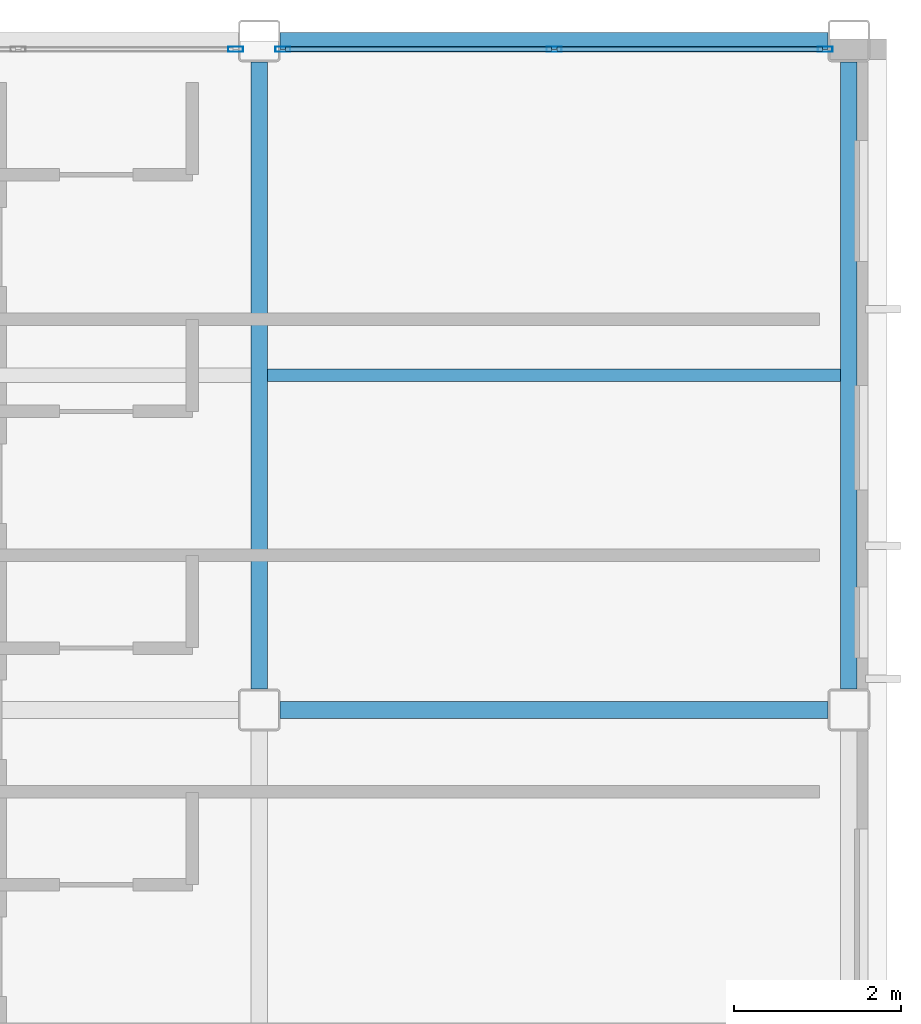
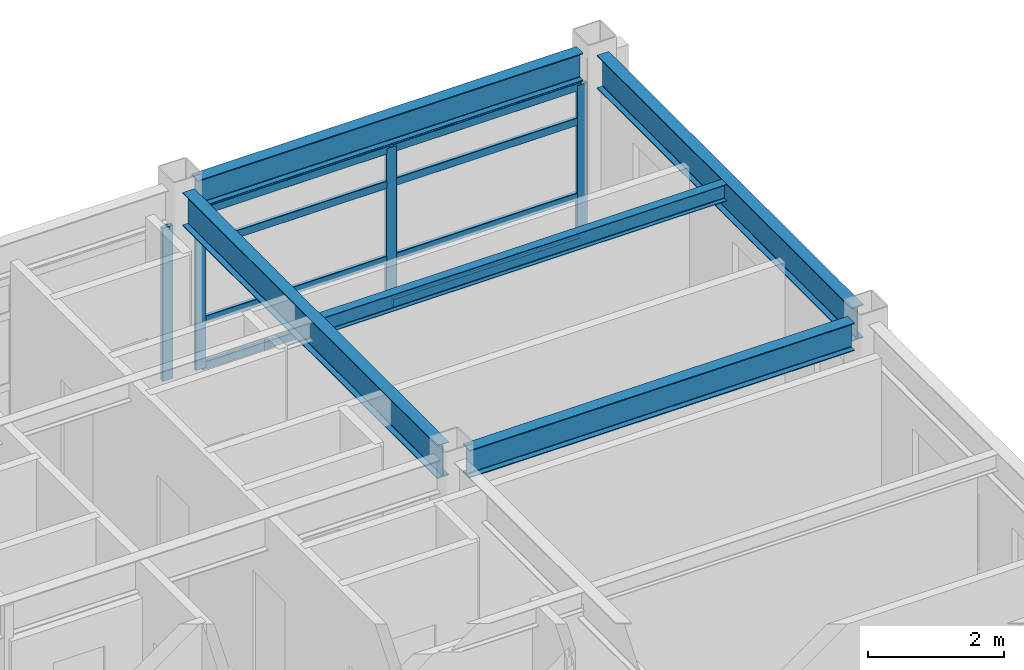
# One storey, part 20 of 35: 12 members, 5 beams, 2 elements without a shape of their own.
"""IFC4 building model written with IfcOpenShell, lengths in metres."""

import ifcopenshell
import ifcopenshell.guid

model = None  # the IFC model being written
_history = None  # IfcOwnerHistory: only IFC2X3 demands one
_inside = {}  # id of a spatial element -> (the spatial element, [elements in it])
_under = {}  # id of a project, library or spatial element -> (it, [spatial elements below it])
_declared = {}  # id of a project -> (the project, [libraries it declares])
_typed = {}  # id of a type object -> (the type object, [elements of that type])
_made_of = {}  # id of a material, layer set ... -> (it, [elements and type objects made of it])


def new_model(schema):
    """Start an empty IFC model of exactly this schema.

    Asked for "IFC4X3", IfcOpenShell would pick the latest addendum, in which some entities
    have other attributes; the version numbers below select the first issue.
    IFC2X3 requires an IfcOwnerHistory on every rooted entity: one is made here for all.
    """
    global model, _history
    if schema == "IFC4X3":
        model = ifcopenshell.file(schema_version=(4, 3, 0, 0))
    else:
        model = ifcopenshell.file(schema=schema)
    _inside.clear()
    _under.clear()
    _declared.clear()
    _typed.clear()
    _made_of.clear()
    _history = None
    if model.schema == "IFC2X3":
        org = make("IfcOrganization", Name="unknown")
        user = make(
            "IfcPersonAndOrganization",
            ThePerson=make("IfcPerson", FamilyName="unknown"),
            TheOrganization=org,
        )
        app = make(
            "IfcApplication",
            ApplicationDeveloper=org,
            Version="unknown",
            ApplicationFullName="unknown",
            ApplicationIdentifier="unknown",
        )
        _history = make(
            "IfcOwnerHistory",
            OwningUser=user,
            OwningApplication=app,
            ChangeAction="ADDED",
            CreationDate=0,
        )
    return model


def make(cls, **values):
    """One entity of the class cls with the attributes given. An attribute that is None is left unset."""
    return model.create_entity(
        cls, **{name: value for name, value in values.items() if value is not None}
    )


def rooted(cls, **values):
    """An entity with a GlobalId (a new one), such as an element, a storey or a relation."""
    return make(cls, GlobalId=ifcopenshell.guid.new(), OwnerHistory=_history, **values)


def si_unit(unit_type, name, prefix=None):
    """IfcSIUnit, for example si_unit("LENGTHUNIT", "METRE", prefix="MILLI")."""
    return make("IfcSIUnit", UnitType=unit_type, Prefix=prefix, Name=name)


def assignment(units):
    """IfcUnitAssignment: the units of a project."""
    return None if units is None else make("IfcUnitAssignment", Units=units)


def point(xyz):
    """IfcCartesianPoint."""
    return None if xyz is None else make("IfcCartesianPoint", Coordinates=xyz)


def direction(xyz):
    """IfcDirection."""
    return None if xyz is None else make("IfcDirection", DirectionRatios=xyz)


def frame(location, z_axis=None, x_axis=None):
    """IfcAxis2Placement3D, a coordinate frame: its origin and axes. An axis left out is left unset."""
    return make(
        "IfcAxis2Placement3D",
        Location=point(location),
        Axis=direction(z_axis),
        RefDirection=direction(x_axis),
    )


def frame_2d(location, x_axis=None):
    """IfcAxis2Placement2D, a coordinate frame in the plane: its origin and x axis."""
    return make(
        "IfcAxis2Placement2D", Location=point(location), RefDirection=direction(x_axis)
    )


def origin():
    """The frame at (0, 0, 0) with its axes left unset."""
    return frame((0.0, 0.0, 0.0))


def origin_2d():
    """The frame at (0, 0) in the plane with its x axis left unset."""
    return frame_2d((0.0, 0.0))


def place(relative_to, where):
    """IfcLocalPlacement: puts the frame where relative to a parent placement (None: the world)."""
    return make(
        "IfcLocalPlacement", PlacementRelTo=relative_to, RelativePlacement=where
    )


def context(
    kind, dimensions, precision=None, world=None, true_north=None, identifier=None
):
    """IfcGeometricRepresentationContext, for example the 3D "Model" context."""
    return make(
        "IfcGeometricRepresentationContext",
        ContextIdentifier=identifier,
        ContextType=kind,
        CoordinateSpaceDimension=dimensions,
        Precision=precision,
        WorldCoordinateSystem=world,
        TrueNorth=true_north,
    )


def subcontext(parent, identifier, kind, view, scale=None):
    """IfcGeometricRepresentationSubContext, for example "Body" below "Model"."""
    return make(
        "IfcGeometricRepresentationSubContext",
        ContextIdentifier=identifier,
        ContextType=kind,
        ParentContext=parent,
        TargetScale=scale,
        TargetView=view,
    )


def project(units=None, contexts=None):
    """IfcProject with its units and contexts."""
    return rooted(
        "IfcProject",
        Name="project",
        RepresentationContexts=contexts,
        UnitsInContext=assignment(units),
    )


def spatial(cls, under=None, at=None, **own):
    """A site, building, storey or space (cls), placed at a placement, below another one or the project."""
    s = rooted(cls, ObjectPlacement=at, **own)
    if under is not None:
        _under.setdefault(under.id(), (under, []))[1].append(s)
    return s


def profile(cls, at=None, kind="AREA", **sizes):
    """A parametric profile (cls). Its sizes go by their IFC names, for example OverallWidth=200.0."""
    return make(cls, ProfileType=kind, Position=at, **sizes)


def hollow_rectangle(**sizes):
    """IfcRectangleHollowProfileDef."""
    return profile("IfcRectangleHollowProfileDef", **sizes)


def i_section(**sizes):
    """IfcIShapeProfileDef."""
    return profile("IfcIShapeProfileDef", **sizes)


def extrude(swept, where, along, depth):
    """IfcExtrudedAreaSolid: the profile swept, set in the frame where, extruded along a direction by depth."""
    return make(
        "IfcExtrudedAreaSolid",
        SweptArea=swept,
        Position=where,
        ExtrudedDirection=direction(along),
        Depth=depth,
    )


def shape(context_of_items, identifier, shape_type, items):
    """IfcShapeRepresentation: the items that make up one representation, for example the "Body"."""
    return make(
        "IfcShapeRepresentation",
        ContextOfItems=context_of_items,
        RepresentationIdentifier=identifier,
        RepresentationType=shape_type,
        Items=items,
    )


def material(Name=None, Category=None):
    """IfcMaterial."""
    return make("IfcMaterial", Name=Name, Category=Category)


def layer(
    of_material, thickness, ventilated=None, Name=None, Category=None, Priority=None
):
    """IfcMaterialLayer: one layer of a wall or slab, of a material (None: an air gap)."""
    return make(
        "IfcMaterialLayer",
        Material=of_material,
        LayerThickness=thickness,
        IsVentilated=ventilated,
        Name=Name,
        Category=Category,
        Priority=Priority,
    )


def layer_set(layers, Name=None):
    """IfcMaterialLayerSet."""
    return make("IfcMaterialLayerSet", MaterialLayers=layers, LayerSetName=Name)


def material_profile(
    of_material, cross_section, Name=None, Category=None, Priority=None
):
    """IfcMaterialProfile: a cross section and its material."""
    return make(
        "IfcMaterialProfile",
        Name=Name,
        Material=of_material,
        Profile=cross_section,
        Priority=Priority,
        Category=Category,
    )


def profile_set(profiles, Name=None, composite=None):
    """IfcMaterialProfileSet."""
    return make(
        "IfcMaterialProfileSet",
        Name=Name,
        MaterialProfiles=profiles,
        CompositeProfile=composite,
    )


def made_of(thing, what):
    """Note that an element or type object is made of a material, layer set ...; save() writes the relation."""
    if what is not None:
        _made_of.setdefault(what.id(), (what, []))[1].append(thing)
    return thing


def type_object(cls, material=None, **own):
    """A type object (cls), such as IfcWallType, which elements share."""
    return made_of(rooted(cls, **own), material)


def element(
    cls,
    number,
    at=None,
    inside=None,
    cuts=None,
    type_object=None,
    material=None,
    context=None,
    identifier="Body",
    shape_type=None,
    held_by="IfcProductDefinitionShape",
    body=None,
    shapes=None,
    **own,
):
    """One element of the class cls, such as IfcWall. Its Tag is "e" and its number.

    at: its placement. inside: the storey or other place that contains it. cuts: it is an
    opening in that element (IfcRelVoidsElement). A single representation is given by context,
    identifier, shape_type and body (its items); several are given by shapes. held_by: the class
    of the entity that holds the representations. save() writes the other relations.
    """
    e = rooted(cls, Tag="e%d" % number, ObjectPlacement=at, **own)
    if body is not None:
        shapes = [shape(context, identifier, shape_type, body)]
    if shapes is not None:
        e.Representation = make(held_by, Representations=shapes)
    if inside is not None:
        _inside.setdefault(inside.id(), (inside, []))[1].append(e)
    if cuts is not None:
        rooted(
            "IfcRelVoidsElement", RelatingBuildingElement=cuts, RelatedOpeningElement=e
        )
    if type_object is not None:
        _typed.setdefault(type_object.id(), (type_object, []))[1].append(e)
    return made_of(e, material)


def aggregate(whole, parts):
    """IfcRelAggregates: a whole, such as a stair, and the parts it consists of."""
    return rooted("IfcRelAggregates", RelatingObject=whole, RelatedObjects=parts)


def save(model, path):
    """Write the relations noted so far, then the file.

    IfcRelAggregates (storeys below a building ...), IfcRelContainedInSpatialStructure (elements
    in a storey), IfcRelDefinesByType, IfcRelAssociatesMaterial and IfcRelDeclares: one each for
    every whole, place, type object, material and project.
    """
    for whole, parts in _under.values():
        aggregate(whole, parts)
    for where, things in _inside.values():
        rooted(
            "IfcRelContainedInSpatialStructure",
            RelatedElements=things,
            RelatingStructure=where,
        )
    for kind, things in _typed.values():
        rooted("IfcRelDefinesByType", RelatedObjects=things, RelatingType=kind)
    for what, things in _made_of.values():
        rooted("IfcRelAssociatesMaterial", RelatedObjects=things, RelatingMaterial=what)
    for by, libraries in _declared.values():
        rooted("IfcRelDeclares", RelatingContext=by, RelatedDefinitions=libraries)
    model.write(path)


model = new_model("IFC4")

# Units and contexts
model_context = context("Model", 3, precision=1e-05, world=origin(), true_north=direction((0.0, 1.0)))
body_context = subcontext(model_context, "Body", "Model", "MODEL_VIEW")
ifc_project = project(units=[si_unit("LENGTHUNIT", "METRE"), si_unit("AREAUNIT", "SQUARE_METRE"), si_unit("VOLUMEUNIT", "CUBIC_METRE"), si_unit("PLANEANGLEUNIT", "RADIAN"), si_unit("MASSUNIT", "GRAM", prefix="KILO")], contexts=[model_context])

# Site, building, storey
site_placement = place(None, origin())
site = spatial("IfcSite", under=ifc_project, at=site_placement, CompositionType="ELEMENT")
building_placement = place(site_placement, origin())
building = spatial("IfcBuilding", under=site, at=building_placement, Name="Kazehara Bluff Congress Hotel", CompositionType="ELEMENT")
storey_placement = place(building_placement, frame((0.0, 0.0, 35.39990234375)))
storey = spatial("IfcBuildingStorey", under=building, at=storey_placement, Name="L08", CompositionType="ELEMENT", Elevation=35.39990234375)

# Curtain wall, member
ifc_material_1 = material(Name="Anodised aluminium", Category="aluminium")
ifc_layer_1 = layer(ifc_material_1, 0.159912109375)
ifc_layer_set_1 = layer_set([ifc_layer_1], Name="Anodised aluminium")
curtain_wall_type_1 = type_object("IfcCurtainWallType", Name="TP-CW-185", PredefinedType="NOTDEFINED", material=ifc_layer_set_1)
curtain_wall_1_placement = place(storey_placement, origin())
curtain_wall_1 = element("IfcCurtainWall", 1, at=curtain_wall_1_placement, inside=storey, type_object=curtain_wall_type_1, Name="L08 curtain wall CW-185 CW-ENC-V5-L08-15630-9680", PredefinedType="NOTDEFINED")
ifc_material_2 = material(Name="Anodised aluminium", Category="aluminium")
ifc_material_profile_1 = material_profile(ifc_material_2, hollow_rectangle(XDim=0.06494140625, YDim=0.179931640625, WallThickness=0.00390625, InnerFilletRadius=0.00390625, OuterFilletRadius=0.008056640625, at=origin_2d()))
ifc_profile_set_1 = profile_set([ifc_material_profile_1], Name="Anodised aluminium")
member_type_1 = type_object("IfcMemberType", Name="TP-CWM-02", PredefinedType="MULLION", material=ifc_profile_set_1)
member_1_placement = place(storey_placement, frame((160.217529296875, 96.800048828125, 0.0), z_axis=(0.0, 0.0, 1.0), x_axis=(0.0, 1.0, 0.0)))
member_1 = element("IfcMember", 2, at=member_1_placement, type_object=member_type_1, Name="CW-185 mullion 4", PredefinedType="MULLION", context=body_context, shape_type="SweptSolid", body=[
    extrude(hollow_rectangle(XDim=0.06494140625, YDim=0.179931640625, WallThickness=0.00390625, InnerFilletRadius=0.00390625, OuterFilletRadius=0.008056640625, at=origin_2d()), origin(), (0.0, 0.0, 1.0), 2.755126953125),
])
aggregate(curtain_wall_1, [member_1])

# Curtain wall, members
ifc_material_3 = material(Name="Anodised aluminium", Category="aluminium")
ifc_layer_2 = layer(ifc_material_3, 0.159912109375)
ifc_layer_set_2 = layer_set([ifc_layer_2], Name="Anodised aluminium")
curtain_wall_type_2 = type_object("IfcCurtainWallType", Name="TP-CW-186", PredefinedType="NOTDEFINED", material=ifc_layer_set_2)
curtain_wall_2_placement = place(storey_placement, origin())
curtain_wall_2 = element("IfcCurtainWall", 3, at=curtain_wall_2_placement, inside=storey, type_object=curtain_wall_type_2, Name="L08 curtain wall CW-186 CW-ENC-V5-L08-16402-9680", PredefinedType="NOTDEFINED")
member_2_placement = place(storey_placement, frame((160.782470703125, 96.800048828125, 0.0), z_axis=(0.0, 0.0, 1.0), x_axis=(0.0, 1.0, 0.0)))
member_2 = element("IfcMember", 4, at=member_2_placement, type_object=member_type_1, Name="CW-186 mullion 1", PredefinedType="MULLION", context=body_context, shape_type="SweptSolid", body=[
    extrude(hollow_rectangle(XDim=0.06494140625, YDim=0.179931640625, WallThickness=0.00390625, InnerFilletRadius=0.00390625, OuterFilletRadius=0.008056640625, at=origin_2d()), origin(), (0.0, 0.0, 1.0), 2.85498046875),
])
member_3_placement = place(storey_placement, frame((164.02490234375, 96.800048828125, 0.0), z_axis=(0.0, 0.0, 1.0), x_axis=(0.0, 1.0, 0.0)))
member_3 = element("IfcMember", 5, at=member_3_placement, type_object=member_type_1, Name="CW-186 mullion 2", PredefinedType="MULLION", context=body_context, shape_type="SweptSolid", body=[
    extrude(hollow_rectangle(XDim=0.06494140625, YDim=0.179931640625, WallThickness=0.00390625, InnerFilletRadius=0.00390625, OuterFilletRadius=0.008056640625, at=origin_2d()), origin(), (0.0, 0.0, 1.0), 2.85498046875),
])
member_4_placement = place(storey_placement, frame((167.267578125, 96.800048828125, 0.0), z_axis=(0.0, 0.0, 1.0), x_axis=(0.0, 1.0, 0.0)))
member_4 = element("IfcMember", 6, at=member_4_placement, type_object=member_type_1, Name="CW-186 mullion 3", PredefinedType="MULLION", context=body_context, shape_type="SweptSolid", body=[
    extrude(hollow_rectangle(XDim=0.06494140625, YDim=0.179931640625, WallThickness=0.00390625, InnerFilletRadius=0.00390625, OuterFilletRadius=0.008056640625, at=origin_2d()), origin(), (0.0, 0.0, 1.0), 2.85498046875),
])
ifc_material_4 = material(Name="Anodised aluminium", Category="aluminium")
ifc_material_profile_2 = material_profile(ifc_material_4, hollow_rectangle(XDim=0.06494140625, YDim=0.139892578125, WallThickness=0.00390625, InnerFilletRadius=0.00390625, OuterFilletRadius=0.008056640625, at=origin_2d()))
ifc_profile_set_2 = profile_set([ifc_material_profile_2], Name="Anodised aluminium")
member_type_2 = type_object("IfcMemberType", Name="TP-CWT-02", PredefinedType="USERDEFINED", material=ifc_profile_set_2)
member_5_placement = place(storey_placement, frame((160.81494140625, 96.800048828125, 0.03271484375), z_axis=(1.0, 0.0, 0.0), x_axis=(0.0, 1.0, 0.0)))
member_5 = element("IfcMember", 7, at=member_5_placement, type_object=member_type_2, Name="CW-186 transom 1.1", ObjectType="TRANSOM", PredefinedType="USERDEFINED", context=body_context, shape_type="SweptSolid", body=[
    extrude(hollow_rectangle(XDim=0.06494140625, YDim=0.139892578125, WallThickness=0.00390625, InnerFilletRadius=0.00390625, OuterFilletRadius=0.008056640625, at=origin_2d()), origin(), (0.0, 0.0, 1.0), 3.177490234375),
])
member_6_placement = place(storey_placement, frame((160.81494140625, 96.800048828125, 0.85498046875), z_axis=(1.0, 0.0, 0.0), x_axis=(0.0, 1.0, 0.0)))
member_6 = element("IfcMember", 8, at=member_6_placement, type_object=member_type_2, Name="CW-186 transom 1.2", ObjectType="TRANSOM", PredefinedType="USERDEFINED", context=body_context, shape_type="SweptSolid", body=[
    extrude(hollow_rectangle(XDim=0.06494140625, YDim=0.139892578125, WallThickness=0.00390625, InnerFilletRadius=0.00390625, OuterFilletRadius=0.008056640625, at=origin_2d()), origin(), (0.0, 0.0, 1.0), 3.177490234375),
])
member_7_placement = place(storey_placement, frame((160.81494140625, 96.800048828125, 2.205078125), z_axis=(1.0, 0.0, 0.0), x_axis=(0.0, 1.0, 0.0)))
member_7 = element("IfcMember", 9, at=member_7_placement, type_object=member_type_2, Name="CW-186 transom 1.3", ObjectType="TRANSOM", PredefinedType="USERDEFINED", context=body_context, shape_type="SweptSolid", body=[
    extrude(hollow_rectangle(XDim=0.06494140625, YDim=0.139892578125, WallThickness=0.00390625, InnerFilletRadius=0.00390625, OuterFilletRadius=0.008056640625, at=origin_2d()), origin(), (0.0, 0.0, 1.0), 3.177490234375),
])
member_8_placement = place(storey_placement, frame((160.81494140625, 96.800048828125, 2.822509765625), z_axis=(1.0, 0.0, 0.0), x_axis=(0.0, 1.0, 0.0)))
member_8 = element("IfcMember", 10, at=member_8_placement, type_object=member_type_2, Name="CW-186 transom 1.4", ObjectType="TRANSOM", PredefinedType="USERDEFINED", context=body_context, shape_type="SweptSolid", body=[
    extrude(hollow_rectangle(XDim=0.06494140625, YDim=0.139892578125, WallThickness=0.00390625, InnerFilletRadius=0.00390625, OuterFilletRadius=0.008056640625, at=origin_2d()), origin(), (0.0, 0.0, 1.0), 3.177490234375),
])
member_9_placement = place(storey_placement, frame((164.0576171875, 96.800048828125, 0.03271484375), z_axis=(1.0, 0.0, 0.0), x_axis=(0.0, 1.0, 0.0)))
member_9 = element("IfcMember", 11, at=member_9_placement, type_object=member_type_2, Name="CW-186 transom 2.1", ObjectType="TRANSOM", PredefinedType="USERDEFINED", context=body_context, shape_type="SweptSolid", body=[
    extrude(hollow_rectangle(XDim=0.06494140625, YDim=0.139892578125, WallThickness=0.00390625, InnerFilletRadius=0.00390625, OuterFilletRadius=0.008056640625, at=origin_2d()), origin(), (0.0, 0.0, 1.0), 3.177490234375),
])
member_10_placement = place(storey_placement, frame((164.0576171875, 96.800048828125, 0.85498046875), z_axis=(1.0, 0.0, 0.0), x_axis=(0.0, 1.0, 0.0)))
member_10 = element("IfcMember", 12, at=member_10_placement, type_object=member_type_2, Name="CW-186 transom 2.2", ObjectType="TRANSOM", PredefinedType="USERDEFINED", context=body_context, shape_type="SweptSolid", body=[
    extrude(hollow_rectangle(XDim=0.06494140625, YDim=0.139892578125, WallThickness=0.00390625, InnerFilletRadius=0.00390625, OuterFilletRadius=0.008056640625, at=origin_2d()), origin(), (0.0, 0.0, 1.0), 3.177490234375),
])
member_11_placement = place(storey_placement, frame((164.0576171875, 96.800048828125, 2.205078125), z_axis=(1.0, 0.0, 0.0), x_axis=(0.0, 1.0, 0.0)))
member_11 = element("IfcMember", 13, at=member_11_placement, type_object=member_type_2, Name="CW-186 transom 2.3", ObjectType="TRANSOM", PredefinedType="USERDEFINED", context=body_context, shape_type="SweptSolid", body=[
    extrude(hollow_rectangle(XDim=0.06494140625, YDim=0.139892578125, WallThickness=0.00390625, InnerFilletRadius=0.00390625, OuterFilletRadius=0.008056640625, at=origin_2d()), origin(), (0.0, 0.0, 1.0), 3.177490234375),
])
member_12_placement = place(storey_placement, frame((164.0576171875, 96.800048828125, 2.822509765625), z_axis=(1.0, 0.0, 0.0), x_axis=(0.0, 1.0, 0.0)))
member_12 = element("IfcMember", 14, at=member_12_placement, type_object=member_type_2, Name="CW-186 transom 2.4", ObjectType="TRANSOM", PredefinedType="USERDEFINED", context=body_context, shape_type="SweptSolid", body=[
    extrude(hollow_rectangle(XDim=0.06494140625, YDim=0.139892578125, WallThickness=0.00390625, InnerFilletRadius=0.00390625, OuterFilletRadius=0.008056640625, at=origin_2d()), origin(), (0.0, 0.0, 1.0), 3.177490234375),
])
aggregate(curtain_wall_2, [member_2, member_3, member_4, member_5, member_6, member_7, member_8, member_9, member_10, member_11, member_12])

# Beams
ifc_material_5 = material(Name="Steel SN490B", Category="steel")
ifc_material_profile_3 = material_profile(ifc_material_5, i_section(OverallWidth=0.199951171875, OverallDepth=0.5, WebThickness=0.010009765625, FlangeThickness=0.01611328125, FilletRadius=0.012939453125, at=origin_2d()))
ifc_profile_set_3 = profile_set([ifc_material_profile_3], Name="Steel SN490B")
beam_type_1 = type_object("IfcBeamType", Name="TP-G-01", PredefinedType="BEAM", material=ifc_profile_set_3)
for number, where, z_axis, x_axis, name in (
    (15, (160.75, 88.89990234375, 3.130126953125), (1.0, 0.0, 0.0), (0.0, 1.0, 0.0), "L08 girder G-01 64"),
    (16, (160.75, 96.89990234375, 3.130126953125), (1.0, 0.0, 0.0), (0.0, 1.0, 0.0), "L08 girder G-01 67"),
):
    element("IfcBeam", number, at=place(storey_placement, frame(where, z_axis=z_axis, x_axis=x_axis)), inside=storey, type_object=beam_type_1, Name=name, PredefinedType="BEAM", context=body_context, shape_type="SweptSolid", body=[
        extrude(i_section(OverallWidth=0.199951171875, OverallDepth=0.5, WebThickness=0.010009765625, FlangeThickness=0.01611328125, FilletRadius=0.012939453125, at=origin_2d()), origin(), (0.0, 0.0, 1.0), 6.550048828125),
    ])
ifc_material_6 = material(Name="Steel SN490B", Category="steel")
ifc_material_profile_4 = material_profile(ifc_material_6, i_section(OverallWidth=0.199951171875, OverallDepth=0.60009765625, WebThickness=0.010986328125, FlangeThickness=0.01708984375, FilletRadius=0.012939453125, at=origin_2d()))
ifc_profile_set_4 = profile_set([ifc_material_profile_4], Name="Steel SN490B")
beam_type_2 = type_object("IfcBeamType", Name="TP-G-02", PredefinedType="BEAM", material=ifc_profile_set_4)
for number, where, z_axis, x_axis, name in (
    (17, (160.5, 89.14990234375, 3.080078125), (0.0, 1.0, 0.0), (-1.0, 0.0, 0.0), "L08 girder G-02 27"),
    (18, (167.550048828125, 89.14990234375, 3.080078125), (0.0, 1.0, 0.0), (-1.0, 0.0, 0.0), "L08 girder G-02 35"),
):
    element("IfcBeam", number, at=place(storey_placement, frame(where, z_axis=z_axis, x_axis=x_axis)), inside=storey, type_object=beam_type_2, Name=name, PredefinedType="BEAM", context=body_context, shape_type="SweptSolid", body=[
        extrude(i_section(OverallWidth=0.199951171875, OverallDepth=0.60009765625, WebThickness=0.010986328125, FlangeThickness=0.01708984375, FilletRadius=0.012939453125, at=origin_2d()), origin(), (0.0, 0.0, 1.0), 7.5),
    ])
ifc_material_7 = material(Name="Steel SN400B", Category="steel")
ifc_material_profile_5 = material_profile(ifc_material_7, i_section(OverallWidth=0.14990234375, OverallDepth=0.300048828125, WebThickness=0.006591796875, FlangeThickness=0.009033203125, FilletRadius=0.012939453125, at=origin_2d()))
ifc_profile_set_5 = profile_set([ifc_material_profile_5], Name="Steel SN400B")
beam_type_3 = type_object("IfcBeamType", Name="TP-J-01", PredefinedType="JOIST", material=ifc_profile_set_5)
beam_placement = place(storey_placement, frame((160.60009765625, 92.89990234375, 3.22998046875), z_axis=(1.0, 0.0, 0.0), x_axis=(0.0, 1.0, 0.0)))
element("IfcBeam", 19, at=beam_placement, inside=storey, type_object=beam_type_3, Name="L08 secondary joist J-01 20", PredefinedType="JOIST", context=body_context, shape_type="SweptSolid", body=[
    extrude(i_section(OverallWidth=0.14990234375, OverallDepth=0.300048828125, WebThickness=0.006591796875, FlangeThickness=0.009033203125, FilletRadius=0.012939453125, at=origin_2d()), origin(), (0.0, 0.0, 1.0), 6.849853515625),
])

save(model, "model.ifc")
